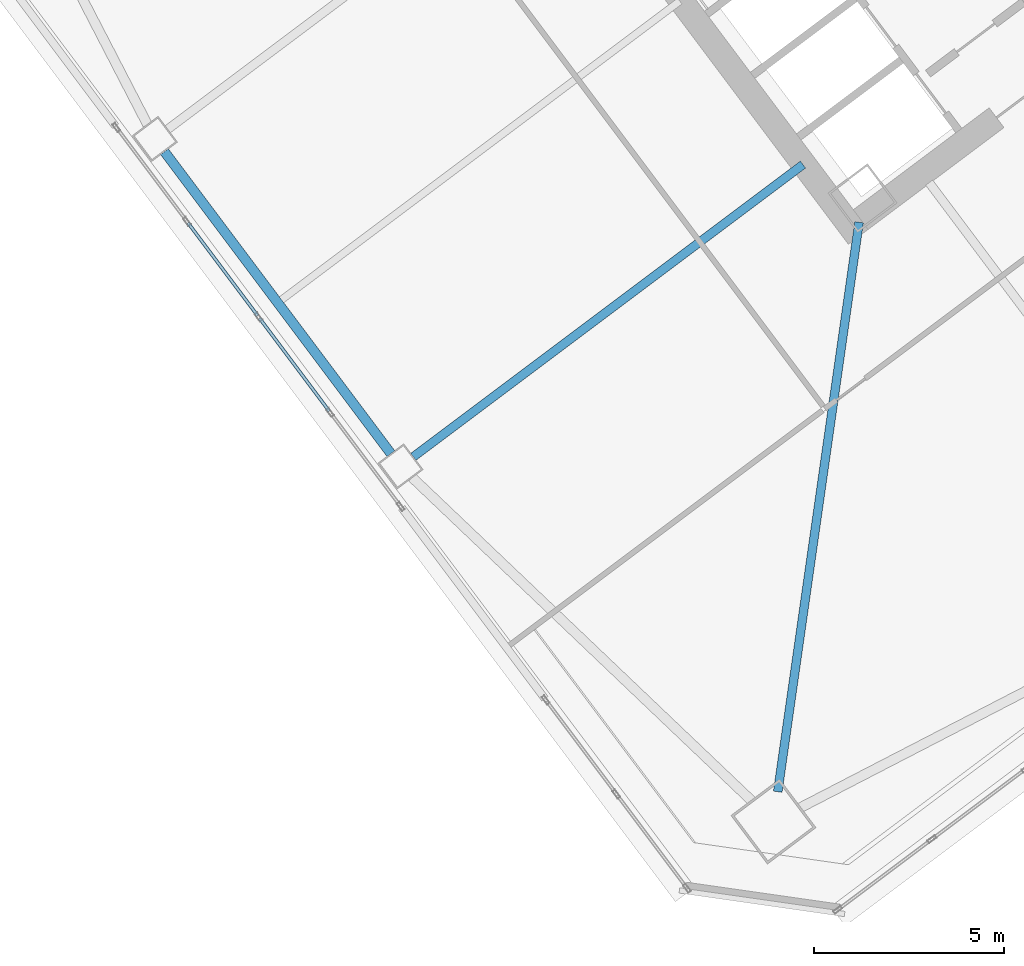
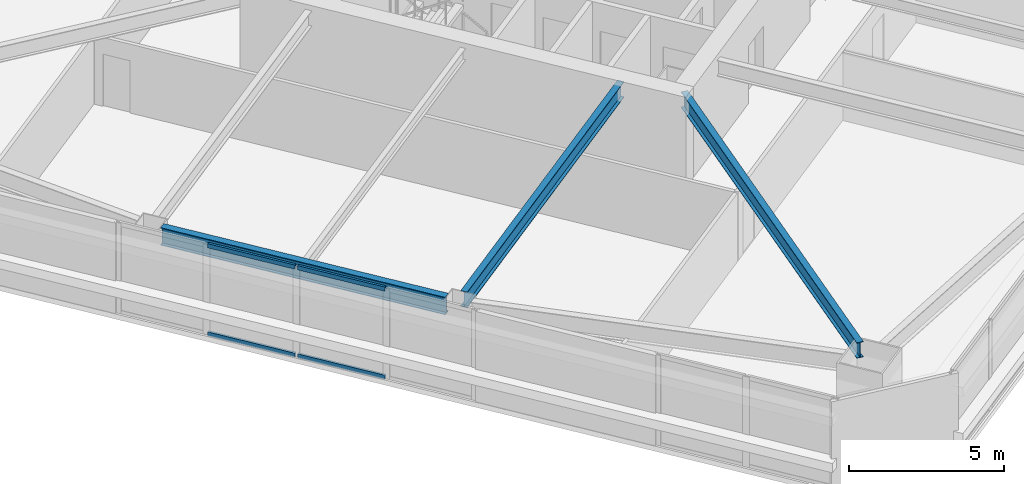
# One storey, part 20 of 47: 4 members, 3 beams, 1 element without a shape of its own.
"""IFC4 building model written with IfcOpenShell, lengths in metres."""

from ifc_helpers import new_model, si_unit, direction, frame, origin, origin_2d, place, context, subcontext, project, spatial, hollow_rectangle, i_section, extrude, material, material_profile, profile_set, type_object, element, aggregate, save


model = new_model("IFC4")

# Units and contexts
model_context = context("Model", 3, precision=1e-05, world=origin(), true_north=direction((0.0, 1.0)))
body_context = subcontext(model_context, "Body", "Model", "MODEL_VIEW")
ifc_project = project(units=[si_unit("LENGTHUNIT", "METRE"), si_unit("AREAUNIT", "SQUARE_METRE"), si_unit("VOLUMEUNIT", "CUBIC_METRE"), si_unit("PLANEANGLEUNIT", "RADIAN"), si_unit("MASSUNIT", "GRAM", prefix="KILO")], contexts=[model_context])

# Site, building, storey
site_placement = place(None, origin())
site = spatial("IfcSite", under=ifc_project, at=site_placement, CompositionType="ELEMENT")
building_placement = place(site_placement, origin())
building = spatial("IfcBuilding", under=site, at=building_placement, Name="Tashvorn Skyway Center", CompositionType="ELEMENT")
storey_placement = place(building_placement, frame((0.0, 0.0, 42.35009765625)))
storey = spatial("IfcBuildingStorey", under=building, at=storey_placement, Name="L10", CompositionType="ELEMENT", Elevation=42.35009765625)

# Beams
ifc_material_1 = material(Name="Steel ASTM A992 Grade 50", Category="steel")
ifc_material_profile_1 = material_profile(ifc_material_1, i_section(OverallWidth=0.22998046875, OverallDepth=0.616943359375, WebThickness=0.01318359375, FlangeThickness=0.022216796875, at=origin_2d()), Name="W24X94")
ifc_profile_set_1 = profile_set([ifc_material_profile_1], Name="Steel ASTM A992 Grade 50")
beam_type_1 = type_object("IfcBeamType", Name="BM-BEAM-W24X94", PredefinedType="BEAM", material=ifc_profile_set_1)
beam_1_placement = place(storey_placement, frame((110.3525390625, 6.467041015625, 3.04150390625), z_axis=(0.141414599991, 0.989950458816, 0.0), x_axis=(-0.989950458816, 0.141414599991, 0.0)))
element("IfcBeam", 1, at=beam_1_placement, inside=storey, type_object=beam_type_1, Name="Tower 2 L10 Primary Floor Girder MC-SW", PredefinedType="BEAM", context=body_context, shape_type="SweptSolid", body=[
    extrude(i_section(OverallWidth=0.22998046875, OverallDepth=0.616943359375, WebThickness=0.01318359375, FlangeThickness=0.022216796875, at=origin_2d()), origin(), (0.0, 0.0, 1.0), 15.177001953125),
])
beam_2_placement = place(storey_placement, frame((100.736083984375, 15.302001953125, 3.04150390625), z_axis=(0.800002279907, 0.599996960112, 0.0), x_axis=(-0.599996960112, 0.800002279907, 0.0)))
element("IfcBeam", 2, at=beam_2_placement, inside=storey, type_object=beam_type_1, Name="Tower 2 L10 Primary Floor Girder FC-W2", PredefinedType="BEAM", context=body_context, shape_type="SweptSolid", body=[
    extrude(i_section(OverallWidth=0.22998046875, OverallDepth=0.616943359375, WebThickness=0.01318359375, FlangeThickness=0.022216796875, at=origin_2d()), origin(), (0.0, 0.0, 1.0), 12.85009765625),
])
ifc_material_profile_2 = material_profile(ifc_material_1, i_section(OverallWidth=0.256103515625, OverallDepth=0.693115234375, WebThickness=0.014404296875, FlangeThickness=0.023681640625, at=origin_2d()), Name="W27X114")
ifc_profile_set_2 = profile_set([ifc_material_profile_2], Name="Steel ASTM A992 Grade 50")
beam_type_2 = type_object("IfcBeamType", Name="BM-SPANDREL-W27X114", PredefinedType="SPANDREL", material=ifc_profile_set_2)
beam_3_placement = place(storey_placement, frame((94.172119140625, 23.35400390625, 3.00341796875), z_axis=(0.599988234018, -0.800008824351, 0.0), x_axis=(0.800008824351, 0.599988234018, 0.0)))
element("IfcBeam", 3, at=beam_3_placement, inside=storey, type_object=beam_type_2, Name="Tower 2 L10 Spandrel Beam 11", PredefinedType="SPANDREL", context=body_context, shape_type="SweptSolid", body=[
    extrude(i_section(OverallWidth=0.256103515625, OverallDepth=0.693115234375, WebThickness=0.014404296875, FlangeThickness=0.023681640625, at=origin_2d()), origin(), (0.0, 0.0, 1.0), 9.9599609375),
])

# Curtain wall, members
ifc_material_2 = material(Name="Thermally broken bronze-anodized aluminium 6063-T6", Category="aluminium")
curtain_wall_type = type_object("IfcCurtainWallType", Name="CW-CW-Z1", PredefinedType="NOTDEFINED", material=ifc_material_2)
curtain_wall_placement = place(storey_placement, origin())
curtain_wall = element("IfcCurtainWall", 4, at=curtain_wall_placement, inside=storey, type_object=curtain_wall_type, Name="Tower 2 L10 West Unitised Curtain Wall Glazing Group 2", PredefinedType="NOTDEFINED")
ifc_material_profile_3 = material_profile(ifc_material_2, hollow_rectangle(XDim=0.0849609375, YDim=0.1650390625, WallThickness=0.0048828125, at=origin_2d()), Name="ALU-TRAN-85x165")
ifc_profile_set_3 = profile_set([ifc_material_profile_3], Name="Thermally broken bronze-anodized aluminium 6063-T6")
member_type = type_object("IfcMemberType", Name="CWT-CW-Z1", PredefinedType="USERDEFINED", material=ifc_profile_set_3)
member_1_placement = place(storey_placement, frame((98.5185546875, 16.508544921875, 0.04248046875), z_axis=(-0.60001275767, 0.799990431589, 0.0), x_axis=(-0.799990431589, -0.60001275767, 0.0)))
member_1 = element("IfcMember", 5, at=member_1_placement, type_object=member_type, Name="CW-Z1 transom 2.1", ObjectType="TRANSOM", PredefinedType="USERDEFINED", context=body_context, shape_type="SweptSolid", body=[
    extrude(hollow_rectangle(XDim=0.0849609375, YDim=0.1650390625, WallThickness=0.0048828125, at=origin_2d()), origin(), (0.0, 0.0, 1.0), 3.061767578125),
])
member_2_placement = place(storey_placement, frame((98.5185546875, 16.508544921875, 3.50732421875), z_axis=(-0.60001275767, 0.799990431589, 0.0), x_axis=(-0.799990431589, -0.60001275767, 0.0)))
member_2 = element("IfcMember", 6, at=member_2_placement, type_object=member_type, Name="CW-Z1 transom 2.2", ObjectType="TRANSOM", PredefinedType="USERDEFINED", context=body_context, shape_type="SweptSolid", body=[
    extrude(hollow_rectangle(XDim=0.0849609375, YDim=0.1650390625, WallThickness=0.0048828125, at=origin_2d()), origin(), (0.0, 0.0, 1.0), 3.061767578125),
])
member_3_placement = place(storey_placement, frame((96.630615234375, 19.02587890625, 0.04248046875), z_axis=(-0.60001275767, 0.799990431589, 0.0), x_axis=(-0.799990431589, -0.60001275767, 0.0)))
member_3 = element("IfcMember", 7, at=member_3_placement, type_object=member_type, Name="CW-Z1 transom 3.1", ObjectType="TRANSOM", PredefinedType="USERDEFINED", context=body_context, shape_type="SweptSolid", body=[
    extrude(hollow_rectangle(XDim=0.0849609375, YDim=0.1650390625, WallThickness=0.0048828125, at=origin_2d()), origin(), (0.0, 0.0, 1.0), 3.061767578125),
])
member_4_placement = place(storey_placement, frame((96.630615234375, 19.02587890625, 3.50732421875), z_axis=(-0.60001275767, 0.799990431589, 0.0), x_axis=(-0.799990431589, -0.60001275767, 0.0)))
member_4 = element("IfcMember", 8, at=member_4_placement, type_object=member_type, Name="CW-Z1 transom 3.2", ObjectType="TRANSOM", PredefinedType="USERDEFINED", context=body_context, shape_type="SweptSolid", body=[
    extrude(hollow_rectangle(XDim=0.0849609375, YDim=0.1650390625, WallThickness=0.0048828125, at=origin_2d()), origin(), (0.0, 0.0, 1.0), 3.061767578125),
])
aggregate(curtain_wall, [member_1, member_2, member_3, member_4])

save(model, "model.ifc")
